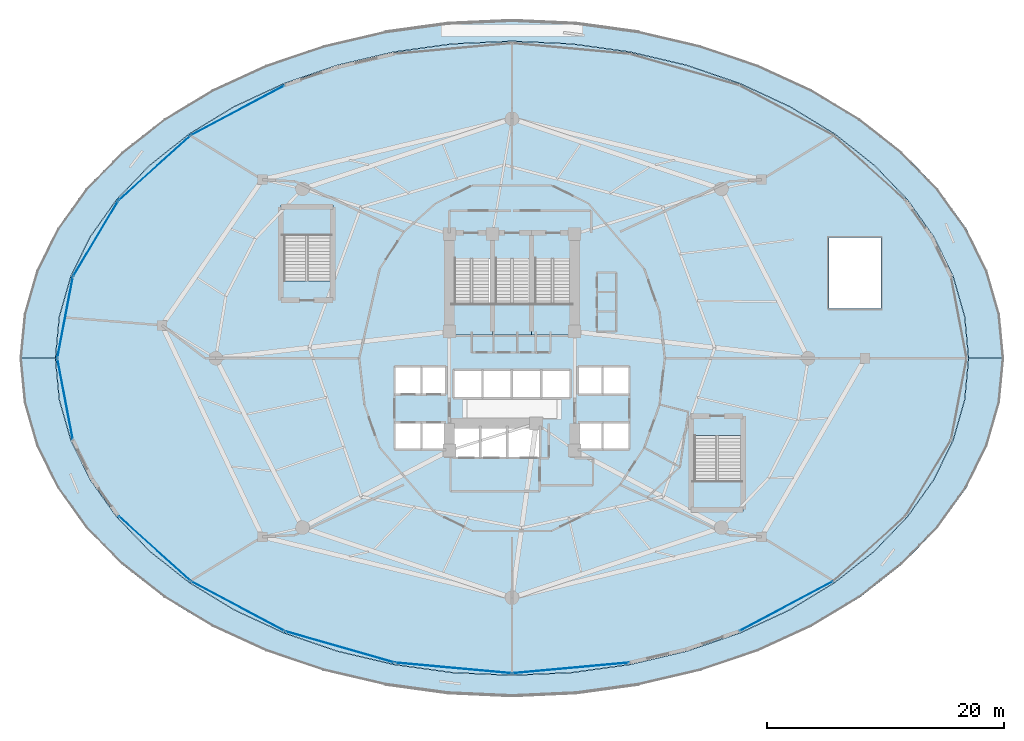
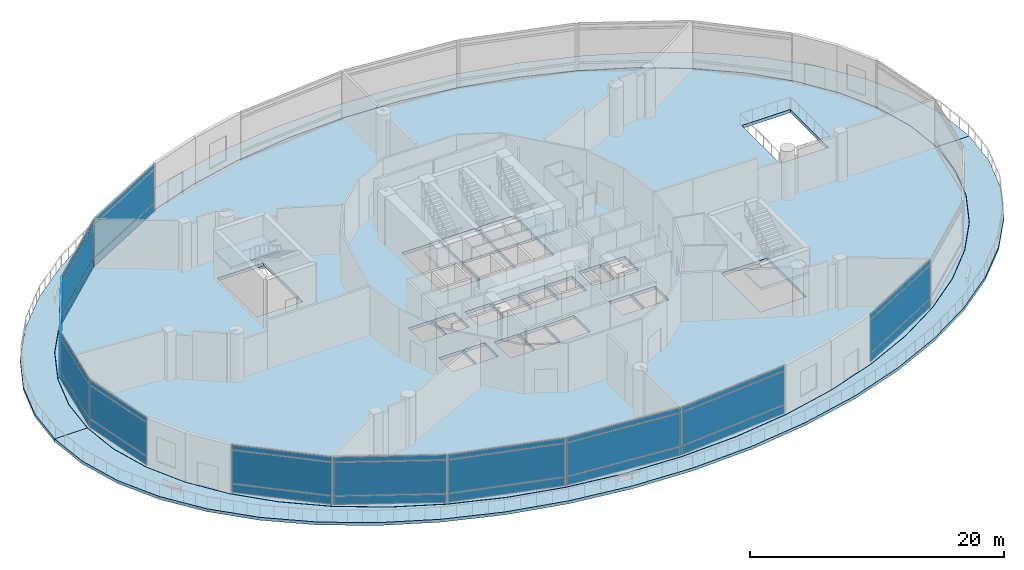
# One storey, part 24 of 37: 33 plates, 8 slabs, 16 elements without a shape of their own.
"""IFC4 building model written with IfcOpenShell, lengths in metres."""

from ifc_helpers import new_model, si_unit, direction, frame, origin, origin_2d, place, context, subcontext, project, spatial, polyline, rectangle, outline, extrude, material, layer, layer_set, type_object, element, aggregate, save


model = new_model("IFC4")

# Units and contexts
model_context = context("Model", 3, precision=1e-05, world=origin(), true_north=direction((0.0, 1.0)))
body_context = subcontext(model_context, "Body", "Model", "MODEL_VIEW")
ifc_project = project(units=[si_unit("LENGTHUNIT", "METRE"), si_unit("AREAUNIT", "SQUARE_METRE"), si_unit("VOLUMEUNIT", "CUBIC_METRE"), si_unit("PLANEANGLEUNIT", "RADIAN"), si_unit("MASSUNIT", "GRAM", prefix="KILO")], contexts=[model_context])

# Site, building, storey
site_placement = place(None, origin())
site = spatial("IfcSite", under=ifc_project, at=site_placement, CompositionType="ELEMENT")
building_placement = place(site_placement, origin())
building = spatial("IfcBuilding", under=site, at=building_placement, Name="Nuhasar Tower", CompositionType="ELEMENT")
storey_placement = place(building_placement, frame((0.0, 0.0, 6.0)))
storey = spatial("IfcBuildingStorey", under=building, at=storey_placement, Name="L01", CompositionType="ELEMENT", Elevation=6.0)

# Curtain wall, plates
ifc_material_1 = material(Name="Aluminium 6063-T6", Category="aluminium")
ifc_layer_1 = layer(ifc_material_1, 0.219970703125)
ifc_layer_set_1 = layer_set([ifc_layer_1], Name="Aluminium 6063-T6")
curtain_wall_type = type_object("IfcCurtainWallType", Name="CW-PODIUM", PredefinedType="NOTDEFINED", material=ifc_layer_set_1)
curtain_wall_1_placement = place(storey_placement, origin())
curtain_wall_1 = element("IfcCurtainWall", 1, at=curtain_wall_1_placement, inside=storey, type_object=curtain_wall_type, Name="L01 Podium Curtain Wall Bay 09", PredefinedType="NOTDEFINED")
ifc_material_2 = material(Name="Glass Double Low-E", Category="glass")
ifc_layer_2 = layer(ifc_material_2, 0.028076171875)
ifc_layer_set_2 = layer_set([ifc_layer_2], Name="Glass Double Low-E")
plate_type_1 = type_object("IfcPlateType", Name="CW-PANEL-GLZ", PredefinedType="CURTAIN_PANEL", material=ifc_layer_set_2)
plate_1_placement = place(storey_placement, frame((15.799560546875, 47.75390625, 0.9375), z_axis=(0.0, 0.0, 1.0), x_axis=(-0.882898802593, -0.469563312429, 0.0)))
plate_1 = element("IfcPlate", 2, at=plate_1_placement, type_object=plate_type_1, Name="CW-P1 panel 1.2", PredefinedType="CURTAIN_PANEL", context=body_context, shape_type="SweptSolid", body=[
    extrude(rectangle(XDim=8.866943359375, YDim=0.028076171875, at=origin_2d()), origin(), (0.0, 0.0, 1.0), 3.175048828125),
])
plate_2_placement = place(storey_placement, frame((15.799560546875, 47.75390625, 4.1875), z_axis=(0.0, 0.0, 1.0), x_axis=(-0.882898802593, -0.469563312429, 0.0)))
plate_2 = element("IfcPlate", 3, at=plate_2_placement, type_object=plate_type_1, Name="CW-P1 panel 1.3", PredefinedType="CURTAIN_PANEL", context=body_context, shape_type="SweptSolid", body=[
    extrude(rectangle(XDim=8.866943359375, YDim=0.028076171875, at=origin_2d()), origin(), (0.0, 0.0, 1.0), 0.4375),
])

curtain_wall_2_placement = place(storey_placement, origin())
curtain_wall_2 = element("IfcCurtainWall", 4, at=curtain_wall_2_placement, inside=storey, type_object=curtain_wall_type, Name="L01 Podium Curtain Wall Bay 10", PredefinedType="NOTDEFINED")
plate_3_placement = place(storey_placement, frame((8.764404296875, 42.87841796875, 0.9375), z_axis=(0.0, 0.0, 1.0), x_axis=(-0.742151374001, -0.67023230157, 0.0)))
plate_3 = element("IfcPlate", 5, at=plate_3_placement, type_object=plate_type_1, Name="CW-P1 panel 1.2", PredefinedType="CURTAIN_PANEL", context=body_context, shape_type="SweptSolid", body=[
    extrude(rectangle(XDim=8.08154296875, YDim=0.028076171875, at=origin_2d()), origin(), (0.0, 0.0, 1.0), 3.175048828125),
])
plate_4_placement = place(storey_placement, frame((8.764404296875, 42.87841796875, 4.1875), z_axis=(0.0, 0.0, 1.0), x_axis=(-0.742151374001, -0.67023230157, 0.0)))
plate_4 = element("IfcPlate", 6, at=plate_4_placement, type_object=plate_type_1, Name="CW-P1 panel 1.3", PredefinedType="CURTAIN_PANEL", context=body_context, shape_type="SweptSolid", body=[
    extrude(rectangle(XDim=8.08154296875, YDim=0.028076171875, at=origin_2d()), origin(), (0.0, 0.0, 1.0), 0.4375),
])

curtain_wall_3_placement = place(storey_placement, origin())
curtain_wall_3 = element("IfcCurtainWall", 7, at=curtain_wall_3_placement, inside=storey, type_object=curtain_wall_type, Name="L01 Podium Curtain Wall Bay 11", PredefinedType="NOTDEFINED")
plate_5_placement = place(storey_placement, frame((3.7900390625, 36.907470703125, 0.9375), z_axis=(0.0, 0.0, 1.0), x_axis=(-0.513021473633, -0.858375772952, 0.0)))
plate_5 = element("IfcPlate", 8, at=plate_5_placement, type_object=plate_type_1, Name="CW-P1 panel 1.2", PredefinedType="CURTAIN_PANEL", context=body_context, shape_type="SweptSolid", body=[
    extrude(rectangle(XDim=7.3349609375, YDim=0.028076171875, at=origin_2d()), origin(), (0.0, 0.0, 1.0), 3.175048828125),
])
plate_6_placement = place(storey_placement, frame((3.7900390625, 36.907470703125, 4.1875), z_axis=(0.0, 0.0, 1.0), x_axis=(-0.513021473633, -0.858375772952, 0.0)))
plate_6 = element("IfcPlate", 9, at=plate_6_placement, type_object=plate_type_1, Name="CW-P1 panel 1.3", PredefinedType="CURTAIN_PANEL", context=body_context, shape_type="SweptSolid", body=[
    extrude(rectangle(XDim=7.3349609375, YDim=0.028076171875, at=origin_2d()), origin(), (0.0, 0.0, 1.0), 0.4375),
])

curtain_wall_4_placement = place(storey_placement, origin())
curtain_wall_4 = element("IfcCurtainWall", 10, at=curtain_wall_4_placement, inside=storey, type_object=curtain_wall_type, Name="L01 Podium Curtain Wall Bay 12", PredefinedType="NOTDEFINED")
plate_7_placement = place(storey_placement, frame((1.215087890625, 30.24755859375, 0.9375), z_axis=(0.0, 0.0, 1.0), x_axis=(-0.186653769843, -0.982425758113, 0.0)))
plate_7 = element("IfcPlate", 11, at=plate_7_placement, type_object=plate_type_1, Name="CW-P1 panel 1.2", PredefinedType="CURTAIN_PANEL", context=body_context, shape_type="SweptSolid", body=[
    extrude(rectangle(XDim=6.868408203125, YDim=0.028076171875, at=origin_2d()), origin(), (0.0, 0.0, 1.0), 3.175048828125),
])
plate_8_placement = place(storey_placement, frame((1.215087890625, 30.24755859375, 4.1875), z_axis=(0.0, 0.0, 1.0), x_axis=(-0.186653769843, -0.982425758113, 0.0)))
plate_8 = element("IfcPlate", 12, at=plate_8_placement, type_object=plate_type_1, Name="CW-P1 panel 1.3", PredefinedType="CURTAIN_PANEL", context=body_context, shape_type="SweptSolid", body=[
    extrude(rectangle(XDim=6.868408203125, YDim=0.028076171875, at=origin_2d()), origin(), (0.0, 0.0, 1.0), 0.4375),
])

curtain_wall_5_placement = place(storey_placement, origin())
curtain_wall_5 = element("IfcCurtainWall", 13, at=curtain_wall_5_placement, inside=storey, type_object=curtain_wall_type, Name="L01 Podium Curtain Wall Bay 13", PredefinedType="NOTDEFINED")
plate_9_placement = place(storey_placement, frame((1.215087890625, 23.3525390625, 0.9375), z_axis=(0.0, 0.0, 1.0), x_axis=(0.186653769843, -0.982425758113, 0.0)))
plate_9 = element("IfcPlate", 14, at=plate_9_placement, type_object=plate_type_1, Name="CW-P1 panel 1.2", PredefinedType="CURTAIN_PANEL", context=body_context, shape_type="SweptSolid", body=[
    extrude(rectangle(XDim=6.868408203125, YDim=0.028076171875, at=origin_2d()), origin(), (0.0, 0.0, 1.0), 3.175048828125),
])
plate_10_placement = place(storey_placement, frame((1.215087890625, 23.3525390625, 4.1875), z_axis=(0.0, 0.0, 1.0), x_axis=(0.186653769843, -0.982425758113, 0.0)))
plate_10 = element("IfcPlate", 15, at=plate_10_placement, type_object=plate_type_1, Name="CW-P1 panel 1.3", PredefinedType="CURTAIN_PANEL", context=body_context, shape_type="SweptSolid", body=[
    extrude(rectangle(XDim=6.868408203125, YDim=0.028076171875, at=origin_2d()), origin(), (0.0, 0.0, 1.0), 0.4375),
])

curtain_wall_6_placement = place(storey_placement, origin())
curtain_wall_6 = element("IfcCurtainWall", 16, at=curtain_wall_6_placement, inside=storey, type_object=curtain_wall_type, Name="L01 Podium Curtain Wall Bay 15", PredefinedType="NOTDEFINED")
plate_11_placement = place(storey_placement, frame((8.764404296875, 10.721435546875, 0.9375), z_axis=(0.0, 0.0, 1.0), x_axis=(0.742151374001, -0.67023230157, 0.0)))
plate_11 = element("IfcPlate", 17, at=plate_11_placement, type_object=plate_type_1, Name="CW-P1 panel 1.2", PredefinedType="CURTAIN_PANEL", context=body_context, shape_type="SweptSolid", body=[
    extrude(rectangle(XDim=8.08154296875, YDim=0.028076171875, at=origin_2d()), origin(), (0.0, 0.0, 1.0), 3.175048828125),
])
plate_12_placement = place(storey_placement, frame((8.764404296875, 10.721435546875, 4.1875), z_axis=(0.0, 0.0, 1.0), x_axis=(0.742151374001, -0.67023230157, 0.0)))
plate_12 = element("IfcPlate", 18, at=plate_12_placement, type_object=plate_type_1, Name="CW-P1 panel 1.3", PredefinedType="CURTAIN_PANEL", context=body_context, shape_type="SweptSolid", body=[
    extrude(rectangle(XDim=8.08154296875, YDim=0.028076171875, at=origin_2d()), origin(), (0.0, 0.0, 1.0), 0.4375),
])

curtain_wall_7_placement = place(storey_placement, origin())
curtain_wall_7 = element("IfcCurtainWall", 19, at=curtain_wall_7_placement, inside=storey, type_object=curtain_wall_type, Name="L01 Podium Curtain Wall Bay 16", PredefinedType="NOTDEFINED")
plate_13_placement = place(storey_placement, frame((15.799560546875, 5.845947265625, 0.9375), z_axis=(0.0, 0.0, 1.0), x_axis=(0.882898802593, -0.469563312429, 0.0)))
plate_13 = element("IfcPlate", 20, at=plate_13_placement, type_object=plate_type_1, Name="CW-P1 panel 1.2", PredefinedType="CURTAIN_PANEL", context=body_context, shape_type="SweptSolid", body=[
    extrude(rectangle(XDim=8.866943359375, YDim=0.028076171875, at=origin_2d()), origin(), (0.0, 0.0, 1.0), 3.175048828125),
])
plate_14_placement = place(storey_placement, frame((15.799560546875, 5.845947265625, 4.1875), z_axis=(0.0, 0.0, 1.0), x_axis=(0.882898802593, -0.469563312429, 0.0)))
plate_14 = element("IfcPlate", 21, at=plate_14_placement, type_object=plate_type_1, Name="CW-P1 panel 1.3", PredefinedType="CURTAIN_PANEL", context=body_context, shape_type="SweptSolid", body=[
    extrude(rectangle(XDim=8.866943359375, YDim=0.028076171875, at=origin_2d()), origin(), (0.0, 0.0, 1.0), 0.4375),
])

curtain_wall_8_placement = place(storey_placement, origin())
curtain_wall_8 = element("IfcCurtainWall", 22, at=curtain_wall_8_placement, inside=storey, type_object=curtain_wall_type, Name="L01 Podium Curtain Wall Bay 17", PredefinedType="NOTDEFINED")
plate_15_placement = place(storey_placement, frame((24.41552734375, 2.3984375, 0.9375), z_axis=(0.0, 0.0, 1.0), x_axis=(0.961190693885, -0.275884849146, 0.0)))
plate_15 = element("IfcPlate", 23, at=plate_15_placement, type_object=plate_type_1, Name="CW-P1 panel 1.2", PredefinedType="CURTAIN_PANEL", context=body_context, shape_type="SweptSolid", body=[
    extrude(rectangle(XDim=9.495361328125, YDim=0.028076171875, at=origin_2d()), origin(), (0.0, 0.0, 1.0), 3.175048828125),
])
plate_16_placement = place(storey_placement, frame((24.41552734375, 2.3984375, 4.1875), z_axis=(0.0, 0.0, 1.0), x_axis=(0.961190693885, -0.275884849146, 0.0)))
plate_16 = element("IfcPlate", 24, at=plate_16_placement, type_object=plate_type_1, Name="CW-P1 panel 1.3", PredefinedType="CURTAIN_PANEL", context=body_context, shape_type="SweptSolid", body=[
    extrude(rectangle(XDim=9.495361328125, YDim=0.028076171875, at=origin_2d()), origin(), (0.0, 0.0, 1.0), 0.4375),
])

curtain_wall_9_placement = place(storey_placement, origin())
curtain_wall_9 = element("IfcCurtainWall", 25, at=curtain_wall_9_placement, inside=storey, type_object=curtain_wall_type, Name="L01 Podium Curtain Wall Bay 18", PredefinedType="NOTDEFINED")
plate_17_placement = place(storey_placement, frame((34.025390625, 0.614013671875, 0.9375), z_axis=(0.0, 0.0, 1.0), x_axis=(0.995861146172, -0.090887719437, 0.0)))
plate_17 = element("IfcPlate", 26, at=plate_17_placement, type_object=plate_type_1, Name="CW-P1 panel 1.2", PredefinedType="CURTAIN_PANEL", context=body_context, shape_type="SweptSolid", body=[
    extrude(rectangle(XDim=9.84033203125, YDim=0.028076171875, at=origin_2d()), origin(), (0.0, 0.0, 1.0), 3.175048828125),
])
plate_18_placement = place(storey_placement, frame((34.025390625, 0.614013671875, 4.1875), z_axis=(0.0, 0.0, 1.0), x_axis=(0.995861146172, -0.090887719437, 0.0)))
plate_18 = element("IfcPlate", 27, at=plate_18_placement, type_object=plate_type_1, Name="CW-P1 panel 1.3", PredefinedType="CURTAIN_PANEL", context=body_context, shape_type="SweptSolid", body=[
    extrude(rectangle(XDim=9.84033203125, YDim=0.028076171875, at=origin_2d()), origin(), (0.0, 0.0, 1.0), 0.4375),
])

curtain_wall_10_placement = place(storey_placement, origin())
curtain_wall_10 = element("IfcCurtainWall", 28, at=curtain_wall_10_placement, inside=storey, type_object=curtain_wall_type, Name="L01 Podium Curtain Wall Bay 19", PredefinedType="NOTDEFINED")
plate_19_placement = place(storey_placement, frame((43.974609375, 0.614013671875, 0.9375), z_axis=(0.0, 0.0, 1.0), x_axis=(0.995861146172, 0.090887719437, 0.0)))
plate_19 = element("IfcPlate", 29, at=plate_19_placement, type_object=plate_type_1, Name="CW-P1 panel 1.2", PredefinedType="CURTAIN_PANEL", context=body_context, shape_type="SweptSolid", body=[
    extrude(rectangle(XDim=9.84033203125, YDim=0.028076171875, at=origin_2d()), origin(), (0.0, 0.0, 1.0), 3.175048828125),
])
plate_20_placement = place(storey_placement, frame((43.974609375, 0.614013671875, 4.1875), z_axis=(0.0, 0.0, 1.0), x_axis=(0.995861146172, 0.090887719437, 0.0)))
plate_20 = element("IfcPlate", 30, at=plate_20_placement, type_object=plate_type_1, Name="CW-P1 panel 1.3", PredefinedType="CURTAIN_PANEL", context=body_context, shape_type="SweptSolid", body=[
    extrude(rectangle(XDim=9.84033203125, YDim=0.028076171875, at=origin_2d()), origin(), (0.0, 0.0, 1.0), 0.4375),
])

curtain_wall_11_placement = place(storey_placement, origin())
curtain_wall_11 = element("IfcCurtainWall", 31, at=curtain_wall_11_placement, inside=storey, type_object=curtain_wall_type, Name="L01 Podium Curtain Wall Bay 21", PredefinedType="NOTDEFINED")
plate_21_placement = place(storey_placement, frame((62.200439453125, 5.845947265625, 0.9375), z_axis=(0.0, 0.0, 1.0), x_axis=(0.882898802593, 0.469563312429, 0.0)))
plate_21 = element("IfcPlate", 32, at=plate_21_placement, type_object=plate_type_1, Name="CW-P1 panel 1.2", PredefinedType="CURTAIN_PANEL", context=body_context, shape_type="SweptSolid", body=[
    extrude(rectangle(XDim=8.866943359375, YDim=0.028076171875, at=origin_2d()), origin(), (0.0, 0.0, 1.0), 3.175048828125),
])
plate_22_placement = place(storey_placement, frame((62.200439453125, 5.845947265625, 4.1875), z_axis=(0.0, 0.0, 1.0), x_axis=(0.882898802593, 0.469563312429, 0.0)))
plate_22 = element("IfcPlate", 33, at=plate_22_placement, type_object=plate_type_1, Name="CW-P1 panel 1.3", PredefinedType="CURTAIN_PANEL", context=body_context, shape_type="SweptSolid", body=[
    extrude(rectangle(XDim=8.866943359375, YDim=0.028076171875, at=origin_2d()), origin(), (0.0, 0.0, 1.0), 0.4375),
])

# Plate
ifc_material_3 = material(Name="Glass Spandrel", Category="glass")
ifc_layer_3 = layer(ifc_material_3, 0.035888671875)
ifc_layer_set_3 = layer_set([ifc_layer_3], Name="Glass Spandrel")
plate_type_2 = type_object("IfcPlateType", Name="CW-PANEL-SPN", PredefinedType="CURTAIN_PANEL", material=ifc_layer_set_3)
plate_23_placement = place(storey_placement, frame((15.799560546875, 47.75390625, 0.074951171875), z_axis=(0.0, 0.0, 1.0), x_axis=(-0.882898802593, -0.469563312429, 0.0)))
plate_23 = element("IfcPlate", 34, at=plate_23_placement, type_object=plate_type_2, Name="CW-P1 panel 1.1", PredefinedType="CURTAIN_PANEL", context=body_context, shape_type="SweptSolid", body=[
    extrude(rectangle(XDim=8.866943359375, YDim=0.035888671875, at=origin_2d()), origin(), (0.0, 0.0, 1.0), 0.78759765625),
])

aggregate(curtain_wall_1, [plate_23, plate_1, plate_2])

plate_24_placement = place(storey_placement, frame((8.764404296875, 42.87841796875, 0.074951171875), z_axis=(0.0, 0.0, 1.0), x_axis=(-0.742151374001, -0.67023230157, 0.0)))
plate_24 = element("IfcPlate", 35, at=plate_24_placement, type_object=plate_type_2, Name="CW-P1 panel 1.1", PredefinedType="CURTAIN_PANEL", context=body_context, shape_type="SweptSolid", body=[
    extrude(rectangle(XDim=8.08154296875, YDim=0.035888671875, at=origin_2d()), origin(), (0.0, 0.0, 1.0), 0.78759765625),
])

aggregate(curtain_wall_2, [plate_24, plate_3, plate_4])

plate_25_placement = place(storey_placement, frame((3.7900390625, 36.907470703125, 0.074951171875), z_axis=(0.0, 0.0, 1.0), x_axis=(-0.513021473633, -0.858375772952, 0.0)))
plate_25 = element("IfcPlate", 36, at=plate_25_placement, type_object=plate_type_2, Name="CW-P1 panel 1.1", PredefinedType="CURTAIN_PANEL", context=body_context, shape_type="SweptSolid", body=[
    extrude(rectangle(XDim=7.3349609375, YDim=0.035888671875, at=origin_2d()), origin(), (0.0, 0.0, 1.0), 0.78759765625),
])

aggregate(curtain_wall_3, [plate_25, plate_5, plate_6])

plate_26_placement = place(storey_placement, frame((1.215087890625, 30.24755859375, 0.074951171875), z_axis=(0.0, 0.0, 1.0), x_axis=(-0.186653769843, -0.982425758113, 0.0)))
plate_26 = element("IfcPlate", 37, at=plate_26_placement, type_object=plate_type_2, Name="CW-P1 panel 1.1", PredefinedType="CURTAIN_PANEL", context=body_context, shape_type="SweptSolid", body=[
    extrude(rectangle(XDim=6.868408203125, YDim=0.035888671875, at=origin_2d()), origin(), (0.0, 0.0, 1.0), 0.78759765625),
])

aggregate(curtain_wall_4, [plate_26, plate_7, plate_8])

plate_27_placement = place(storey_placement, frame((1.215087890625, 23.3525390625, 0.074951171875), z_axis=(0.0, 0.0, 1.0), x_axis=(0.186653769843, -0.982425758113, 0.0)))
plate_27 = element("IfcPlate", 38, at=plate_27_placement, type_object=plate_type_2, Name="CW-P1 panel 1.1", PredefinedType="CURTAIN_PANEL", context=body_context, shape_type="SweptSolid", body=[
    extrude(rectangle(XDim=6.868408203125, YDim=0.035888671875, at=origin_2d()), origin(), (0.0, 0.0, 1.0), 0.78759765625),
])

aggregate(curtain_wall_5, [plate_27, plate_9, plate_10])

plate_28_placement = place(storey_placement, frame((8.764404296875, 10.721435546875, 0.074951171875), z_axis=(0.0, 0.0, 1.0), x_axis=(0.742151374001, -0.67023230157, 0.0)))
plate_28 = element("IfcPlate", 39, at=plate_28_placement, type_object=plate_type_2, Name="CW-P1 panel 1.1", PredefinedType="CURTAIN_PANEL", context=body_context, shape_type="SweptSolid", body=[
    extrude(rectangle(XDim=8.08154296875, YDim=0.035888671875, at=origin_2d()), origin(), (0.0, 0.0, 1.0), 0.78759765625),
])

aggregate(curtain_wall_6, [plate_28, plate_11, plate_12])

plate_29_placement = place(storey_placement, frame((15.799560546875, 5.845947265625, 0.074951171875), z_axis=(0.0, 0.0, 1.0), x_axis=(0.882898802593, -0.469563312429, 0.0)))
plate_29 = element("IfcPlate", 40, at=plate_29_placement, type_object=plate_type_2, Name="CW-P1 panel 1.1", PredefinedType="CURTAIN_PANEL", context=body_context, shape_type="SweptSolid", body=[
    extrude(rectangle(XDim=8.866943359375, YDim=0.035888671875, at=origin_2d()), origin(), (0.0, 0.0, 1.0), 0.78759765625),
])

aggregate(curtain_wall_7, [plate_29, plate_13, plate_14])

plate_30_placement = place(storey_placement, frame((24.41552734375, 2.3984375, 0.074951171875), z_axis=(0.0, 0.0, 1.0), x_axis=(0.961190693885, -0.275884849146, 0.0)))
plate_30 = element("IfcPlate", 41, at=plate_30_placement, type_object=plate_type_2, Name="CW-P1 panel 1.1", PredefinedType="CURTAIN_PANEL", context=body_context, shape_type="SweptSolid", body=[
    extrude(rectangle(XDim=9.495361328125, YDim=0.035888671875, at=origin_2d()), origin(), (0.0, 0.0, 1.0), 0.78759765625),
])

aggregate(curtain_wall_8, [plate_30, plate_15, plate_16])

plate_31_placement = place(storey_placement, frame((34.025390625, 0.614013671875, 0.074951171875), z_axis=(0.0, 0.0, 1.0), x_axis=(0.995861146172, -0.090887719437, 0.0)))
plate_31 = element("IfcPlate", 42, at=plate_31_placement, type_object=plate_type_2, Name="CW-P1 panel 1.1", PredefinedType="CURTAIN_PANEL", context=body_context, shape_type="SweptSolid", body=[
    extrude(rectangle(XDim=9.84033203125, YDim=0.035888671875, at=origin_2d()), origin(), (0.0, 0.0, 1.0), 0.78759765625),
])

aggregate(curtain_wall_9, [plate_31, plate_17, plate_18])

plate_32_placement = place(storey_placement, frame((43.974609375, 0.614013671875, 0.074951171875), z_axis=(0.0, 0.0, 1.0), x_axis=(0.995861146172, 0.090887719437, 0.0)))
plate_32 = element("IfcPlate", 43, at=plate_32_placement, type_object=plate_type_2, Name="CW-P1 panel 1.1", PredefinedType="CURTAIN_PANEL", context=body_context, shape_type="SweptSolid", body=[
    extrude(rectangle(XDim=9.84033203125, YDim=0.035888671875, at=origin_2d()), origin(), (0.0, 0.0, 1.0), 0.78759765625),
])

aggregate(curtain_wall_10, [plate_32, plate_19, plate_20])

plate_33_placement = place(storey_placement, frame((62.200439453125, 5.845947265625, 0.074951171875), z_axis=(0.0, 0.0, 1.0), x_axis=(0.882898802593, 0.469563312429, 0.0)))
plate_33 = element("IfcPlate", 44, at=plate_33_placement, type_object=plate_type_2, Name="CW-P1 panel 1.1", PredefinedType="CURTAIN_PANEL", context=body_context, shape_type="SweptSolid", body=[
    extrude(rectangle(XDim=8.866943359375, YDim=0.035888671875, at=origin_2d()), origin(), (0.0, 0.0, 1.0), 0.78759765625),
])

aggregate(curtain_wall_11, [plate_33, plate_21, plate_22])

# Slab
ifc_material_4 = material(Name="Concrete C50/60", Category="concrete")
ifc_layer_4 = layer(ifc_material_4, 0.300048828125)
ifc_layer_set_4 = layer_set([ifc_layer_4], Name="Concrete C50/60")
slab_type_1 = type_object("IfcSlabType", Name="SLB-POD-300", PredefinedType="FLOOR", material=ifc_layer_set_4)
slab_1_placement = place(storey_placement, frame((0.0, 0.0, -0.300048828125)))
element("IfcSlab", 45, at=slab_1_placement, inside=storey, type_object=slab_type_1, Name="L01 Structural Slab", PredefinedType="FLOOR", context=body_context, shape_type="SweptSolid", body=[
    extrude(outline(polyline([(77.60009765625, 26.800048828125), (77.27001953125, 30.298095703125), (76.284912109375, 33.736083984375), (74.662109375, 37.055908203125), (72.428955078125, 40.199951171875), (69.623046875, 43.114990234375), (66.2939453125, 45.75), (62.498046875, 48.06201171875), (58.300048828125, 50.009033203125), (53.77197265625, 51.56005859375), (48.989990234375, 52.68701171875), (44.0380859375, 53.37109375), (39.0, 53.60009765625), (33.9619140625, 53.37109375), (29.010009765625, 52.68701171875), (24.22802734375, 51.56005859375), (19.699951171875, 50.009033203125), (15.501953125, 48.06201171875), (11.7060546875, 45.75), (8.376953125, 43.114990234375), (5.571044921875, 40.199951171875), (3.337890625, 37.055908203125), (1.715087890625, 33.736083984375), (0.72998046875, 30.298095703125), (0.39990234375, 26.800048828125), (0.72998046875, 23.302001953125), (1.715087890625, 19.864013671875), (3.337890625, 16.5439453125), (5.571044921875, 13.39990234375), (8.376953125, 10.485107421875), (11.7060546875, 7.85009765625), (15.501953125, 5.5380859375), (19.699951171875, 3.591064453125), (24.22802734375, 2.0400390625), (29.010009765625, 0.9130859375), (33.9619140625, 0.22900390625), (39.0, 0.0), (44.0380859375, 0.22900390625), (48.989990234375, 0.9130859375), (53.77197265625, 2.0400390625), (58.300048828125, 3.591064453125), (62.498046875, 5.5380859375), (66.2939453125, 7.85009765625), (69.623046875, 10.485107421875), (72.428955078125, 13.39990234375), (74.662109375, 16.5439453125), (76.284912109375, 19.864013671875), (77.27001953125, 23.302001953125), (77.60009765625, 26.800048828125)]), holes=[polyline([(33.8798828125, 35.25), (37.300048828125, 35.25), (37.300048828125, 29.0), (33.8798828125, 29.0), (33.8798828125, 35.25)]), polyline([(37.39990234375, 35.25), (40.60009765625, 35.25), (40.60009765625, 29.0), (37.39990234375, 29.0), (37.39990234375, 35.25)]), polyline([(40.699951171875, 35.25), (44.1201171875, 35.25), (44.1201171875, 29.0), (40.699951171875, 29.0), (40.699951171875, 35.25)]), polyline([(19.550048828125, 39.5), (23.75, 39.5), (23.75, 33.35009765625), (19.550048828125, 33.35009765625), (19.550048828125, 39.5)]), polyline([(54.25, 20.25), (58.449951171875, 20.25), (58.449951171875, 14.10009765625), (54.25, 14.10009765625), (54.25, 20.25)]), polyline([(29.14990234375, 26.050048828125), (31.300048828125, 26.050048828125), (31.300048828125, 23.800048828125), (29.14990234375, 23.800048828125), (29.14990234375, 26.050048828125)]), polyline([(31.39990234375, 26.050048828125), (33.35009765625, 26.050048828125), (33.35009765625, 23.800048828125), (31.39990234375, 23.800048828125), (31.39990234375, 26.050048828125)]), polyline([(29.14990234375, 21.300048828125), (31.300048828125, 21.300048828125), (31.300048828125, 19.14990234375), (29.14990234375, 19.14990234375), (29.14990234375, 21.300048828125)]), polyline([(31.39990234375, 21.300048828125), (33.35009765625, 21.300048828125), (33.35009765625, 19.14990234375), (31.39990234375, 19.14990234375), (31.39990234375, 21.300048828125)]), polyline([(44.64990234375, 26.050048828125), (46.60009765625, 26.050048828125), (46.60009765625, 23.800048828125), (44.64990234375, 23.800048828125), (44.64990234375, 26.050048828125)]), polyline([(46.699951171875, 26.050048828125), (48.85009765625, 26.050048828125), (48.85009765625, 23.800048828125), (46.699951171875, 23.800048828125), (46.699951171875, 26.050048828125)]), polyline([(44.64990234375, 21.300048828125), (46.60009765625, 21.300048828125), (46.60009765625, 19.14990234375), (44.64990234375, 19.14990234375), (44.64990234375, 21.300048828125)]), polyline([(46.699951171875, 21.300048828125), (48.85009765625, 21.300048828125), (48.85009765625, 19.14990234375), (46.699951171875, 19.14990234375), (46.699951171875, 21.300048828125)]), polyline([(34.10009765625, 25.75), (36.43994140625, 25.75), (36.43994140625, 23.5), (34.10009765625, 23.5), (34.10009765625, 25.75)]), polyline([(36.580078125, 25.75), (38.919921875, 25.75), (38.919921875, 23.5), (36.580078125, 23.5), (36.580078125, 25.75)]), polyline([(39.06005859375, 25.75), (41.39990234375, 25.75), (41.39990234375, 23.5), (39.06005859375, 23.5), (39.06005859375, 25.75)]), polyline([(41.5400390625, 25.75), (43.8798828125, 25.75), (43.8798828125, 23.5), (41.5400390625, 23.5), (41.5400390625, 25.75)]), polyline([(34.050048828125, 21.0), (36.25, 21.0), (36.25, 18.449951171875), (34.050048828125, 18.449951171875), (34.050048828125, 21.0)]), polyline([(36.35009765625, 21.0), (38.550048828125, 21.0), (38.550048828125, 18.449951171875), (36.35009765625, 18.449951171875), (36.35009765625, 21.0)]), polyline([(38.64990234375, 21.0), (41.320068359375, 21.0), (41.320068359375, 18.449951171875), (38.64990234375, 18.449951171875), (38.64990234375, 21.0)]), polyline([(65.800048828125, 37.0), (70.199951171875, 37.0), (70.199951171875, 31.0), (65.800048828125, 31.0), (65.800048828125, 37.0)])]), origin(), (0.0, 0.0, 1.0), 0.300048828125),
])

# Stair, slab
ifc_material_5 = material(Name="Concrete C45/55", Category="concrete")
stair_type_1 = type_object("IfcStairType", Name="STR-ST-01-2F-30R-1667", PredefinedType="HALF_TURN_STAIR", material=ifc_material_5)
stair_1_placement = place(storey_placement, origin())
stair_1 = element("IfcStair", 46, at=stair_1_placement, inside=storey, type_object=stair_type_1, Name="L01 Exit Stair ST-01", PredefinedType="HALF_TURN_STAIR")
ifc_layer_5 = layer(ifc_material_5, 0.239990234375)
ifc_layer_set_5 = layer_set([ifc_layer_5], Name="Concrete C45/55")
slab_type_2 = type_object("IfcSlabType", Name="SLB-STAIR-LND-240", PredefinedType="LANDING", material=ifc_layer_set_5)
slab_2_placement = place(storey_placement, frame((0.0, 0.0, 2.260009765625)))
slab_2 = element("IfcSlab", 47, at=slab_2_placement, type_object=slab_type_2, Name="ST-01 landing 1", PredefinedType="LANDING", context=body_context, shape_type="SweptSolid", body=[
    extrude(outline(polyline([(33.699951171875, 28.75), (37.35009765625, 28.75), (37.35009765625, 31.39990234375), (33.699951171875, 31.39990234375), (33.699951171875, 28.75)])), origin(), (0.0, 0.0, 1.0), 0.239990234375),
])
aggregate(stair_1, [slab_2])

stair_type_2 = type_object("IfcStairType", Name="STR-ST-03-2F-30R-1667", PredefinedType="HALF_TURN_STAIR", material=ifc_material_5)
stair_2_placement = place(storey_placement, origin())
stair_2 = element("IfcStair", 48, at=stair_2_placement, inside=storey, type_object=stair_type_2, Name="L01 Exit Stair ST-03", PredefinedType="HALF_TURN_STAIR")
slab_3_placement = place(storey_placement, frame((0.0, 0.0, 2.260009765625)))
slab_3 = element("IfcSlab", 49, at=slab_3_placement, type_object=slab_type_2, Name="ST-03 landing 1", PredefinedType="LANDING", context=body_context, shape_type="SweptSolid", body=[
    extrude(outline(polyline([(37.35009765625, 28.75), (40.64990234375, 28.75), (40.64990234375, 31.39990234375), (37.35009765625, 31.39990234375), (37.35009765625, 28.75)])), origin(), (0.0, 0.0, 1.0), 0.239990234375),
])
aggregate(stair_2, [slab_3])

stair_type_3 = type_object("IfcStairType", Name="STR-ST-02-2F-30R-1667", PredefinedType="HALF_TURN_STAIR", material=ifc_material_5)
stair_3_placement = place(storey_placement, origin())
stair_3 = element("IfcStair", 50, at=stair_3_placement, inside=storey, type_object=stair_type_3, Name="L01 Exit Stair ST-02", PredefinedType="HALF_TURN_STAIR")
slab_4_placement = place(storey_placement, frame((0.0, 0.0, 2.260009765625)))
slab_4 = element("IfcSlab", 51, at=slab_4_placement, type_object=slab_type_2, Name="ST-02 landing 1", PredefinedType="LANDING", context=body_context, shape_type="SweptSolid", body=[
    extrude(outline(polyline([(40.64990234375, 28.75), (44.300048828125, 28.75), (44.300048828125, 31.39990234375), (40.64990234375, 31.39990234375), (40.64990234375, 28.75)])), origin(), (0.0, 0.0, 1.0), 0.239990234375),
])
aggregate(stair_3, [slab_4])

stair_type_4 = type_object("IfcStairType", Name="STR-ST-04-2F-30R-1667", PredefinedType="HALF_TURN_STAIR", material=ifc_material_5)
stair_4_placement = place(storey_placement, origin())
stair_4 = element("IfcStair", 52, at=stair_4_placement, inside=storey, type_object=stair_type_4, Name="L01 Exit Stair ST-04", PredefinedType="HALF_TURN_STAIR")
slab_5_placement = place(storey_placement, frame((0.0, 0.0, 2.260009765625)))
slab_5 = element("IfcSlab", 53, at=slab_5_placement, type_object=slab_type_2, Name="ST-04 landing 1", PredefinedType="LANDING", context=body_context, shape_type="SweptSolid", body=[
    extrude(outline(polyline([(19.449951171875, 37.199951171875), (23.85009765625, 37.199951171875), (23.85009765625, 39.75), (19.449951171875, 39.75), (19.449951171875, 37.199951171875)])), origin(), (0.0, 0.0, 1.0), 0.239990234375),
])
aggregate(stair_4, [slab_5])

stair_type_5 = type_object("IfcStairType", Name="STR-ST-05-2F-30R-1667", PredefinedType="HALF_TURN_STAIR", material=ifc_material_5)
stair_5_placement = place(storey_placement, origin())
stair_5 = element("IfcStair", 54, at=stair_5_placement, inside=storey, type_object=stair_type_5, Name="L01 Exit Stair ST-05", PredefinedType="HALF_TURN_STAIR")
slab_6_placement = place(storey_placement, frame((0.0, 0.0, 2.260009765625)))
slab_6 = element("IfcSlab", 55, at=slab_6_placement, type_object=slab_type_2, Name="ST-05 landing 1", PredefinedType="LANDING", context=body_context, shape_type="SweptSolid", body=[
    extrude(outline(polyline([(54.14990234375, 13.85009765625), (58.550048828125, 13.85009765625), (58.550048828125, 16.39990234375), (54.14990234375, 16.39990234375), (54.14990234375, 13.85009765625)])), origin(), (0.0, 0.0, 1.0), 0.239990234375),
])
aggregate(stair_5, [slab_6])

# Slabs
ifc_layer_6 = layer(ifc_material_5, 0.280029296875)
ifc_layer_set_6 = layer_set([ifc_layer_6], Name="Concrete C45/55")
slab_type_3 = type_object("IfcSlabType", Name="SLB-TERR-280", PredefinedType="FLOOR", material=ifc_layer_set_6)
slab_7_placement = place(storey_placement, frame((0.0, 0.0, -0.280029296875)))
element("IfcSlab", 56, at=slab_7_placement, inside=storey, type_object=slab_type_3, Name="L01 Cascading Bustan Planted Terrace Slab North", PredefinedType="FLOOR", context=body_context, shape_type="SweptSolid", body=[
    extrude(outline(polyline([(80.60009765625, 26.800048828125), (80.243896484375, 30.532958984375), (79.18310546875, 34.201904296875), (77.43310546875, 37.7451171875), (75.027099609375, 41.10009765625), (72.0029296875, 44.2109375), (68.416015625, 47.02294921875), (64.323974609375, 49.489990234375), (59.800048828125, 51.568115234375), (54.919921875, 53.222900390625), (49.76708984375, 54.425048828125), (44.429931640625, 55.155029296875), (39.0, 55.39990234375), (33.570068359375, 55.155029296875), (28.23291015625, 54.425048828125), (23.080078125, 53.222900390625), (18.199951171875, 51.568115234375), (13.676025390625, 49.489990234375), (9.583984375, 47.02294921875), (5.9970703125, 44.2109375), (2.972900390625, 41.10009765625), (0.56689453125, 37.7451171875), (-1.18310546875, 34.201904296875), (-2.243896484375, 30.532958984375), (-2.60009765625, 26.800048828125), (0.3798828125, 26.800048828125), (0.7099609375, 30.301025390625), (1.696044921875, 33.741943359375), (3.320068359375, 37.06396484375), (5.553955078125, 40.2099609375), (8.361083984375, 43.126953125), (11.69189453125, 45.764892578125), (15.489990234375, 48.077880859375), (19.68994140625, 50.027099609375), (24.220947265625, 51.577880859375), (29.00390625, 52.7060546875), (33.958984375, 53.39111328125), (39.0, 53.6201171875), (44.041015625, 53.39111328125), (48.99609375, 52.7060546875), (53.779052734375, 51.577880859375), (58.31005859375, 50.027099609375), (62.510009765625, 48.077880859375), (66.30810546875, 45.764892578125), (69.638916015625, 43.126953125), (72.446044921875, 40.2099609375), (74.679931640625, 37.06396484375), (76.303955078125, 33.741943359375), (77.2900390625, 30.301025390625), (77.6201171875, 26.800048828125), (80.60009765625, 26.800048828125)])), origin(), (0.0, 0.0, 1.0), 0.280029296875),
])
slab_8_placement = place(storey_placement, frame((0.0, 0.0, -0.280029296875)))
element("IfcSlab", 57, at=slab_8_placement, inside=storey, type_object=slab_type_3, Name="L01 Cascading Bustan Planted Terrace Slab South", PredefinedType="FLOOR", context=body_context, shape_type="SweptSolid", body=[
    extrude(outline(polyline([(-2.60009765625, 26.800048828125), (-2.243896484375, 23.06689453125), (-1.18310546875, 19.39794921875), (0.56689453125, 15.85498046875), (2.972900390625, 12.5), (5.9970703125, 9.388916015625), (9.583984375, 6.576904296875), (13.676025390625, 4.110107421875), (18.199951171875, 2.031982421875), (23.080078125, 0.376953125), (28.23291015625, -0.824951171875), (33.570068359375, -1.554931640625), (39.0, -1.800048828125), (44.429931640625, -1.554931640625), (49.76708984375, -0.824951171875), (54.919921875, 0.376953125), (59.800048828125, 2.031982421875), (64.323974609375, 4.110107421875), (68.416015625, 6.576904296875), (72.0029296875, 9.388916015625), (75.027099609375, 12.5), (77.43310546875, 15.85498046875), (79.18310546875, 19.39794921875), (80.243896484375, 23.06689453125), (80.60009765625, 26.800048828125), (77.6201171875, 26.800048828125), (77.2900390625, 23.299072265625), (76.303955078125, 19.85791015625), (74.679931640625, 16.535888671875), (72.446044921875, 13.389892578125), (69.638916015625, 10.472900390625), (66.30810546875, 7.8349609375), (62.510009765625, 5.52197265625), (58.31005859375, 3.572998046875), (53.779052734375, 2.02197265625), (48.99609375, 0.89404296875), (44.041015625, 0.208984375), (39.0, -0.02001953125), (33.958984375, 0.208984375), (29.00390625, 0.89404296875), (24.220947265625, 2.02197265625), (19.68994140625, 3.572998046875), (15.489990234375, 5.52197265625), (11.69189453125, 7.8349609375), (8.361083984375, 10.472900390625), (5.553955078125, 13.389892578125), (3.320068359375, 16.535888671875), (1.696044921875, 19.85791015625), (0.7099609375, 23.299072265625), (0.3798828125, 26.800048828125), (-2.60009765625, 26.800048828125)])), origin(), (0.0, 0.0, 1.0), 0.280029296875),
])

save(model, "model.ifc")
